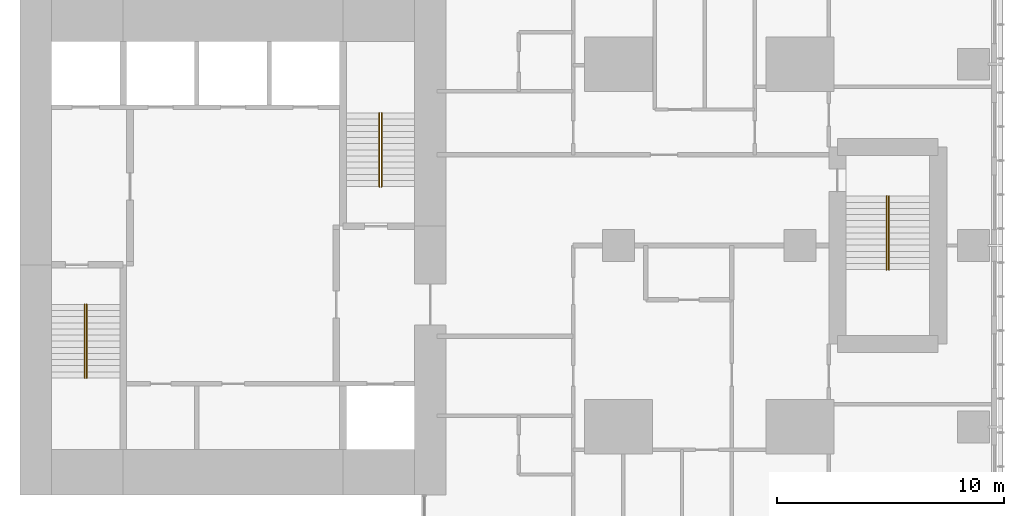
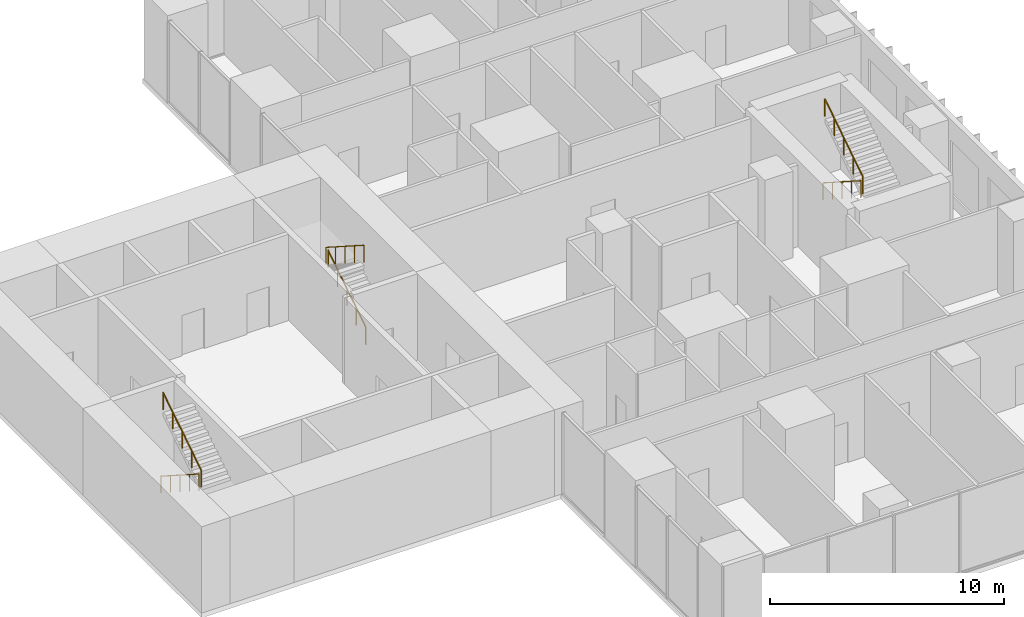
# One storey, part 12 of 12: 6 railings.
"""IFC4 building model written with IfcOpenShell, lengths in metres."""

from ifc_helpers import new_model, si_unit, direction, frame, origin, origin_2d, place, context, subcontext, project, spatial, circle, extrude, material, type_object, element, save


model = new_model("IFC4")

# Units and contexts
model_context = context("Model", 3, precision=1e-05, world=origin(), true_north=direction((0.0, 1.0)))
body_context = subcontext(model_context, "Body", "Model", "MODEL_VIEW")
ifc_project = project(units=[si_unit("LENGTHUNIT", "METRE"), si_unit("AREAUNIT", "SQUARE_METRE"), si_unit("VOLUMEUNIT", "CUBIC_METRE"), si_unit("PLANEANGLEUNIT", "RADIAN"), si_unit("MASSUNIT", "GRAM", prefix="KILO")], contexts=[model_context])

# Site, building, storey
site_placement = place(None, origin())
site = spatial("IfcSite", under=ifc_project, at=site_placement, CompositionType="ELEMENT")
building_placement = place(site_placement, origin())
building = spatial("IfcBuilding", under=site, at=building_placement, Name="Cleftline Residences", CompositionType="ELEMENT")
storey_placement = place(building_placement, frame((0.0, 0.0, 282.60009765625)))
storey = spatial("IfcBuildingStorey", under=building, at=storey_placement, Name="L74", CompositionType="ELEMENT", Elevation=282.60009765625)

# Railings
ifc_material = material(Name="Stainless steel", Category="steel")
railing_type = type_object("IfcRailingType", Name="HANDRAIL 900", PredefinedType="HANDRAIL", material=ifc_material)
railing_1_placement = place(storey_placement, frame((26.449951171875, 21.39990234375, 0.173095703125)))
element("IfcRailing", 1, at=railing_1_placement, inside=storey, type_object=railing_type, Name="Stair handrail", PredefinedType="HANDRAIL", context=body_context, shape_type="SweptSolid", body=[
    extrude(circle(Radius=0.02392578125, at=origin_2d()), frame((0.0, 0.0, 0.8759765625), z_axis=(0.0, -0.841880617004, 0.539663808971), x_axis=(1.0, 0.0, 0.0)), (0.0, 0.0, 1.0), 3.8486328125),
    extrude(circle(Radius=0.02099609375, at=origin_2d()), origin(), (0.0, 0.0, 1.0), 0.851806640625),
    extrude(circle(Radius=0.02099609375, at=origin_2d()), frame((0.0, -0.81005859375, 0.519287109375)), (0.0, 0.0, 1.0), 0.851806640625),
    extrude(circle(Radius=0.02099609375, at=origin_2d()), frame((0.0, -1.6201171875, 1.03857421875)), (0.0, 0.0, 1.0), 0.851806640625),
    extrude(circle(Radius=0.02099609375, at=origin_2d()), frame((0.0, -2.429931640625, 1.5576171875)), (0.0, 0.0, 1.0), 0.851806640625),
    extrude(circle(Radius=0.02099609375, at=origin_2d()), frame((0.0, -3.239990234375, 2.076904296875)), (0.0, 0.0, 1.0), 0.851806640625),
])
for number, where, name in (
    (2, (26.550048828125, 18.159912109375, 2.423095703125), "Stair handrail"),
    (3, (39.550048828125, 26.60009765625, 0.173095703125), "Stair handrail"),
):
    element("IfcRailing", number, at=place(storey_placement, frame(where)), inside=storey, type_object=railing_type, Name=name, PredefinedType="HANDRAIL", context=body_context, shape_type="SweptSolid", body=[
        extrude(circle(Radius=0.02392578125, at=origin_2d()), frame((0.0, 0.0, 0.8759765625), z_axis=(0.0, 0.841880617004, 0.539663808971), x_axis=(-1.0, 0.0, 0.0)), (0.0, 0.0, 1.0), 3.8486328125),
        extrude(circle(Radius=0.02099609375, at=origin_2d()), origin(), (0.0, 0.0, 1.0), 0.851806640625),
        extrude(circle(Radius=0.02099609375, at=origin_2d()), frame((0.0, 0.81005859375, 0.519287109375)), (0.0, 0.0, 1.0), 0.851806640625),
        extrude(circle(Radius=0.02099609375, at=origin_2d()), frame((0.0, 1.6201171875, 1.03857421875)), (0.0, 0.0, 1.0), 0.851806640625),
        extrude(circle(Radius=0.02099609375, at=origin_2d()), frame((0.0, 2.429931640625, 1.5576171875)), (0.0, 0.0, 1.0), 0.851806640625),
        extrude(circle(Radius=0.02099609375, at=origin_2d()), frame((0.0, 3.239990234375, 2.076904296875)), (0.0, 0.0, 1.0), 0.851806640625),
    ])
for number, where, name in (
    (4, (39.449951171875, 29.840087890625, 2.423095703125), "Stair handrail"),
    (5, (61.824951171875, 26.175048828125, 0.173095703125), "Stair handrail"),
):
    element("IfcRailing", number, at=place(storey_placement, frame(where)), inside=storey, type_object=railing_type, Name=name, PredefinedType="HANDRAIL", context=body_context, shape_type="SweptSolid", body=[
        extrude(circle(Radius=0.02392578125, at=origin_2d()), frame((0.0, 0.0, 0.8759765625), z_axis=(0.0, -0.841880617004, 0.539663808971), x_axis=(1.0, 0.0, 0.0)), (0.0, 0.0, 1.0), 3.8486328125),
        extrude(circle(Radius=0.02099609375, at=origin_2d()), origin(), (0.0, 0.0, 1.0), 0.851806640625),
        extrude(circle(Radius=0.02099609375, at=origin_2d()), frame((0.0, -0.81005859375, 0.519287109375)), (0.0, 0.0, 1.0), 0.851806640625),
        extrude(circle(Radius=0.02099609375, at=origin_2d()), frame((0.0, -1.6201171875, 1.03857421875)), (0.0, 0.0, 1.0), 0.851806640625),
        extrude(circle(Radius=0.02099609375, at=origin_2d()), frame((0.0, -2.429931640625, 1.5576171875)), (0.0, 0.0, 1.0), 0.851806640625),
        extrude(circle(Radius=0.02099609375, at=origin_2d()), frame((0.0, -3.239990234375, 2.076904296875)), (0.0, 0.0, 1.0), 0.851806640625),
    ])
railing_2_placement = place(storey_placement, frame((61.925048828125, 22.93505859375, 2.423095703125)))
element("IfcRailing", 6, at=railing_2_placement, inside=storey, type_object=railing_type, Name="Stair handrail", PredefinedType="HANDRAIL", context=body_context, shape_type="SweptSolid", body=[
    extrude(circle(Radius=0.02392578125, at=origin_2d()), frame((0.0, 0.0, 0.8759765625), z_axis=(0.0, 0.841880617004, 0.539663808971), x_axis=(-1.0, 0.0, 0.0)), (0.0, 0.0, 1.0), 3.8486328125),
    extrude(circle(Radius=0.02099609375, at=origin_2d()), origin(), (0.0, 0.0, 1.0), 0.851806640625),
    extrude(circle(Radius=0.02099609375, at=origin_2d()), frame((0.0, 0.81005859375, 0.519287109375)), (0.0, 0.0, 1.0), 0.851806640625),
    extrude(circle(Radius=0.02099609375, at=origin_2d()), frame((0.0, 1.6201171875, 1.03857421875)), (0.0, 0.0, 1.0), 0.851806640625),
    extrude(circle(Radius=0.02099609375, at=origin_2d()), frame((0.0, 2.429931640625, 1.5576171875)), (0.0, 0.0, 1.0), 0.851806640625),
    extrude(circle(Radius=0.02099609375, at=origin_2d()), frame((0.0, 3.239990234375, 2.076904296875)), (0.0, 0.0, 1.0), 0.851806640625),
])

save(model, "model.ifc")
